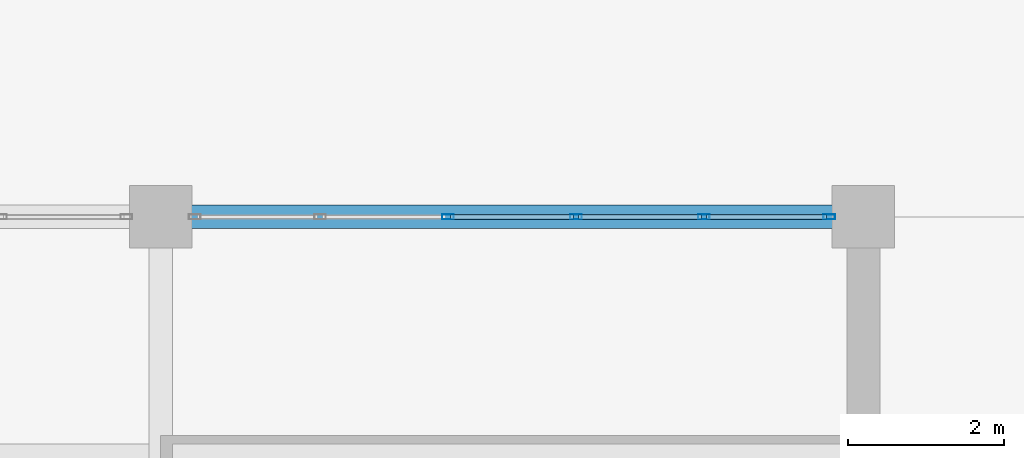
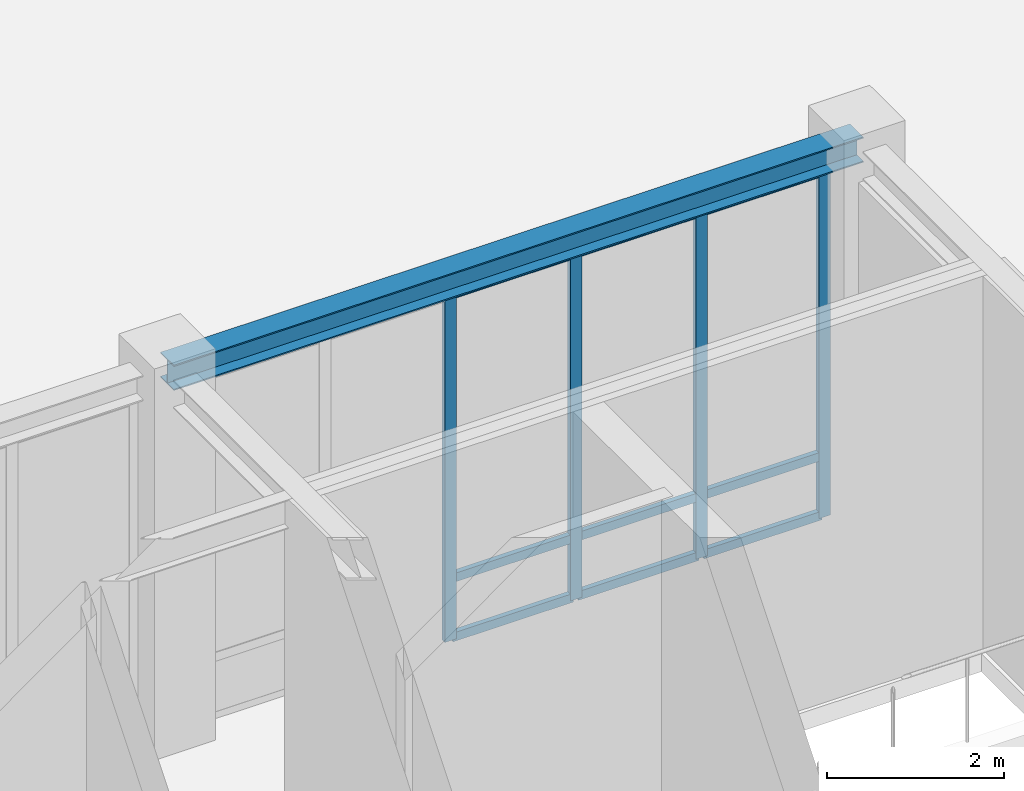
# One storey, part 37 of 77: 13 members, 1 beam, 1 element without a shape of its own.
"""IFC4 building model written with IfcOpenShell, lengths in metres."""

from ifc_helpers import new_model, si_unit, direction, frame, origin, origin_2d, place, context, subcontext, project, spatial, hollow_rectangle, i_section, extrude, material, material_profile, profile_set, type_object, element, aggregate, save


model = new_model("IFC4")

# Units and contexts
model_context = context("Model", 3, precision=1e-05, world=origin(), true_north=direction((0.0, 1.0)))
body_context = subcontext(model_context, "Body", "Model", "MODEL_VIEW")
ifc_project = project(units=[si_unit("LENGTHUNIT", "METRE"), si_unit("AREAUNIT", "SQUARE_METRE"), si_unit("VOLUMEUNIT", "CUBIC_METRE"), si_unit("PLANEANGLEUNIT", "RADIAN"), si_unit("MASSUNIT", "GRAM", prefix="KILO")], contexts=[model_context])

# Site, building, storey
site_placement = place(None, origin())
site = spatial("IfcSite", under=ifc_project, at=site_placement, CompositionType="ELEMENT")
building_placement = place(site_placement, origin())
building = spatial("IfcBuilding", under=site, at=building_placement, Name="Lykobir Media Centre", CompositionType="ELEMENT")
storey_placement = place(building_placement, origin())
storey = spatial("IfcBuildingStorey", under=building, at=storey_placement, Name="L00", CompositionType="ELEMENT", Elevation=0.0)

# Curtain wall, members
ifc_material_1 = material(Name="Anodized Aluminium AW-6060", Category="aluminium")
curtain_wall_type = type_object("IfcCurtainWallType", Name="CW-COURT-A", PredefinedType="NOTDEFINED", material=ifc_material_1)
curtain_wall_placement = place(storey_placement, origin())
curtain_wall = element("IfcCurtainWall", 1, at=curtain_wall_placement, inside=storey, type_object=curtain_wall_type, Name="Curtain wall CW2-L00-0002", PredefinedType="NOTDEFINED")
ifc_material_profile_1 = material_profile(ifc_material_1, hollow_rectangle(XDim=0.06494140625, YDim=0.14990234375, WallThickness=0.00341796875, at=origin_2d()), Name="ALU MULLION 65x150")
ifc_profile_set_1 = profile_set([ifc_material_profile_1], Name="Anodized Aluminium AW-6060")
member_type_1 = type_object("IfcMemberType", Name="CWM-150", PredefinedType="MULLION", material=ifc_profile_set_1)
member_1_placement = place(storey_placement, frame((120.680908203125, 18.0, 0.0), z_axis=(0.0, 0.0, 1.0), x_axis=(0.0, 1.0, 0.0)))
member_1 = element("IfcMember", 2, at=member_1_placement, type_object=member_type_1, Name="CW2-L00-0002 mullion 3", PredefinedType="MULLION", context=body_context, shape_type="SweptSolid", body=[
    extrude(hollow_rectangle(XDim=0.06494140625, YDim=0.14990234375, WallThickness=0.00341796875, at=origin_2d()), origin(), (0.0, 0.0, 1.0), 4.794921875),
])
member_2_placement = place(storey_placement, frame((122.319091796875, 18.0, 0.0), z_axis=(0.0, 0.0, 1.0), x_axis=(0.0, 1.0, 0.0)))
member_2 = element("IfcMember", 3, at=member_2_placement, type_object=member_type_1, Name="CW2-L00-0002 mullion 4", PredefinedType="MULLION", context=body_context, shape_type="SweptSolid", body=[
    extrude(hollow_rectangle(XDim=0.06494140625, YDim=0.14990234375, WallThickness=0.00341796875, at=origin_2d()), origin(), (0.0, 0.0, 1.0), 4.794921875),
])
member_3_placement = place(storey_placement, frame((123.95703125, 18.0, 0.0), z_axis=(0.0, 0.0, 1.0), x_axis=(0.0, 1.0, 0.0)))
member_3 = element("IfcMember", 4, at=member_3_placement, type_object=member_type_1, Name="CW2-L00-0002 mullion 5", PredefinedType="MULLION", context=body_context, shape_type="SweptSolid", body=[
    extrude(hollow_rectangle(XDim=0.06494140625, YDim=0.14990234375, WallThickness=0.00341796875, at=origin_2d()), origin(), (0.0, 0.0, 1.0), 4.794921875),
])
member_4_placement = place(storey_placement, frame((125.5625, 18.0, 0.0), z_axis=(0.0, 0.0, 1.0), x_axis=(0.0, 1.0, 0.0)))
member_4 = element("IfcMember", 5, at=member_4_placement, type_object=member_type_1, Name="CW2-L00-0002 mullion 6", PredefinedType="MULLION", context=body_context, shape_type="SweptSolid", body=[
    extrude(hollow_rectangle(XDim=0.06494140625, YDim=0.14990234375, WallThickness=0.00341796875, at=origin_2d()), origin(), (0.0, 0.0, 1.0), 4.794921875),
])
ifc_material_profile_2 = material_profile(ifc_material_1, hollow_rectangle(XDim=0.06494140625, YDim=0.1201171875, WallThickness=0.0029296875, at=origin_2d()), Name="ALU TRANSOM 65x120")
ifc_profile_set_2 = profile_set([ifc_material_profile_2], Name="Anodized Aluminium AW-6060")
member_type_2 = type_object("IfcMemberType", Name="CWT-120", PredefinedType="USERDEFINED", material=ifc_profile_set_2)
member_5_placement = place(storey_placement, frame((120.71337890625, 18.0, 0.032470703125), z_axis=(1.0, 0.0, 0.0), x_axis=(0.0, 1.0, 0.0)))
member_5 = element("IfcMember", 6, at=member_5_placement, type_object=member_type_2, Name="CW2-L00-0002 transom 3.1", ObjectType="TRANSOM", PredefinedType="USERDEFINED", context=body_context, shape_type="SweptSolid", body=[
    extrude(hollow_rectangle(XDim=0.06494140625, YDim=0.1201171875, WallThickness=0.0029296875, at=origin_2d()), origin(), (0.0, 0.0, 1.0), 1.5732421875),
])
member_6_placement = place(storey_placement, frame((120.71337890625, 18.0, 0.85009765625), z_axis=(1.0, 0.0, 0.0), x_axis=(0.0, 1.0, 0.0)))
member_6 = element("IfcMember", 7, at=member_6_placement, type_object=member_type_2, Name="CW2-L00-0002 transom 3.2", ObjectType="TRANSOM", PredefinedType="USERDEFINED", context=body_context, shape_type="SweptSolid", body=[
    extrude(hollow_rectangle(XDim=0.06494140625, YDim=0.1201171875, WallThickness=0.0029296875, at=origin_2d()), origin(), (0.0, 0.0, 1.0), 1.5732421875),
])
member_7_placement = place(storey_placement, frame((120.71337890625, 18.0, 4.762451171875), z_axis=(1.0, 0.0, 0.0), x_axis=(0.0, 1.0, 0.0)))
member_7 = element("IfcMember", 8, at=member_7_placement, type_object=member_type_2, Name="CW2-L00-0002 transom 3.3", ObjectType="TRANSOM", PredefinedType="USERDEFINED", context=body_context, shape_type="SweptSolid", body=[
    extrude(hollow_rectangle(XDim=0.06494140625, YDim=0.1201171875, WallThickness=0.0029296875, at=origin_2d()), origin(), (0.0, 0.0, 1.0), 1.5732421875),
])
member_8_placement = place(storey_placement, frame((122.3515625, 18.0, 0.032470703125), z_axis=(1.0, 0.0, 0.0), x_axis=(0.0, 1.0, 0.0)))
member_8 = element("IfcMember", 9, at=member_8_placement, type_object=member_type_2, Name="CW2-L00-0002 transom 4.1", ObjectType="TRANSOM", PredefinedType="USERDEFINED", context=body_context, shape_type="SweptSolid", body=[
    extrude(hollow_rectangle(XDim=0.06494140625, YDim=0.1201171875, WallThickness=0.0029296875, at=origin_2d()), origin(), (0.0, 0.0, 1.0), 1.572998046875),
])
member_9_placement = place(storey_placement, frame((122.3515625, 18.0, 0.85009765625), z_axis=(1.0, 0.0, 0.0), x_axis=(0.0, 1.0, 0.0)))
member_9 = element("IfcMember", 10, at=member_9_placement, type_object=member_type_2, Name="CW2-L00-0002 transom 4.2", ObjectType="TRANSOM", PredefinedType="USERDEFINED", context=body_context, shape_type="SweptSolid", body=[
    extrude(hollow_rectangle(XDim=0.06494140625, YDim=0.1201171875, WallThickness=0.0029296875, at=origin_2d()), origin(), (0.0, 0.0, 1.0), 1.572998046875),
])
member_10_placement = place(storey_placement, frame((122.3515625, 18.0, 4.762451171875), z_axis=(1.0, 0.0, 0.0), x_axis=(0.0, 1.0, 0.0)))
member_10 = element("IfcMember", 11, at=member_10_placement, type_object=member_type_2, Name="CW2-L00-0002 transom 4.3", ObjectType="TRANSOM", PredefinedType="USERDEFINED", context=body_context, shape_type="SweptSolid", body=[
    extrude(hollow_rectangle(XDim=0.06494140625, YDim=0.1201171875, WallThickness=0.0029296875, at=origin_2d()), origin(), (0.0, 0.0, 1.0), 1.572998046875),
])
member_11_placement = place(storey_placement, frame((123.989501953125, 18.0, 0.032470703125), z_axis=(1.0, 0.0, 0.0), x_axis=(0.0, 1.0, 0.0)))
member_11 = element("IfcMember", 12, at=member_11_placement, type_object=member_type_2, Name="CW2-L00-0002 transom 5.1", ObjectType="TRANSOM", PredefinedType="USERDEFINED", context=body_context, shape_type="SweptSolid", body=[
    extrude(hollow_rectangle(XDim=0.06494140625, YDim=0.1201171875, WallThickness=0.0029296875, at=origin_2d()), origin(), (0.0, 0.0, 1.0), 1.54052734375),
])
member_12_placement = place(storey_placement, frame((123.989501953125, 18.0, 0.85009765625), z_axis=(1.0, 0.0, 0.0), x_axis=(0.0, 1.0, 0.0)))
member_12 = element("IfcMember", 13, at=member_12_placement, type_object=member_type_2, Name="CW2-L00-0002 transom 5.2", ObjectType="TRANSOM", PredefinedType="USERDEFINED", context=body_context, shape_type="SweptSolid", body=[
    extrude(hollow_rectangle(XDim=0.06494140625, YDim=0.1201171875, WallThickness=0.0029296875, at=origin_2d()), origin(), (0.0, 0.0, 1.0), 1.54052734375),
])
member_13_placement = place(storey_placement, frame((123.989501953125, 18.0, 4.762451171875), z_axis=(1.0, 0.0, 0.0), x_axis=(0.0, 1.0, 0.0)))
member_13 = element("IfcMember", 14, at=member_13_placement, type_object=member_type_2, Name="CW2-L00-0002 transom 5.3", ObjectType="TRANSOM", PredefinedType="USERDEFINED", context=body_context, shape_type="SweptSolid", body=[
    extrude(hollow_rectangle(XDim=0.06494140625, YDim=0.1201171875, WallThickness=0.0029296875, at=origin_2d()), origin(), (0.0, 0.0, 1.0), 1.54052734375),
])
aggregate(curtain_wall, [member_1, member_2, member_3, member_4, member_5, member_6, member_7, member_8, member_9, member_10, member_11, member_12, member_13])

# Beam
ifc_material_2 = material(Name="Steel S355", Category="steel")
ifc_material_profile_3 = material_profile(ifc_material_2, i_section(OverallWidth=0.300048828125, OverallDepth=0.35009765625, WebThickness=0.010009765625, FlangeThickness=0.017578125, at=origin_2d()), Name="HEA 360")
ifc_profile_set_3 = profile_set([ifc_material_profile_3], Name="Steel S355")
beam_type = type_object("IfcBeamType", Name="SP-HEA360", PredefinedType="SPANDREL", material=ifc_profile_set_3)
beam_placement = place(storey_placement, frame((117.0, 18.0, 4.985107421875), z_axis=(1.0, 0.0, 0.0), x_axis=(0.0, 1.0, 0.0)))
element("IfcBeam", 15, at=beam_placement, inside=storey, type_object=beam_type, Name="Beam BM-L00-1170-0180-1260-0180-499", PredefinedType="SPANDREL", context=body_context, shape_type="SweptSolid", body=[
    extrude(i_section(OverallWidth=0.300048828125, OverallDepth=0.35009765625, WebThickness=0.010009765625, FlangeThickness=0.017578125, at=origin_2d()), origin(), (0.0, 0.0, 1.0), 9.0),
])

save(model, "model.ifc")
